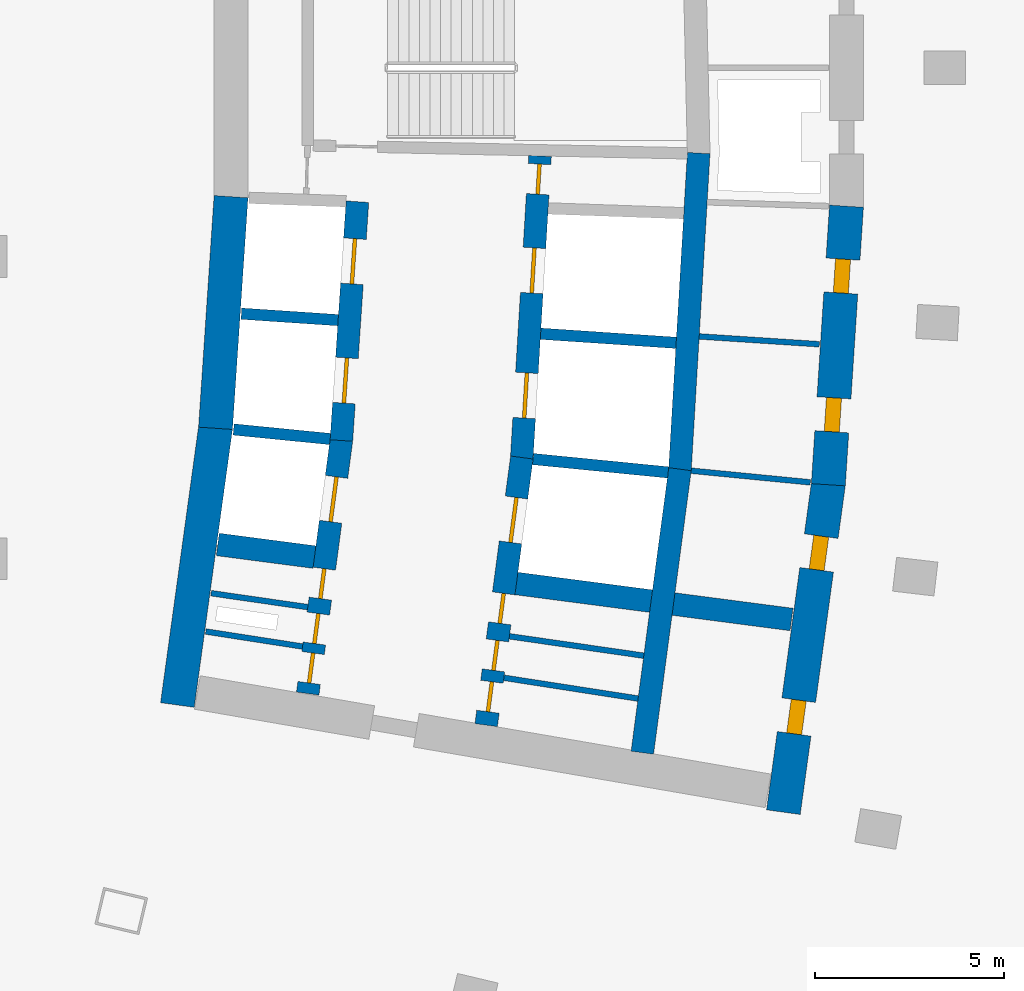
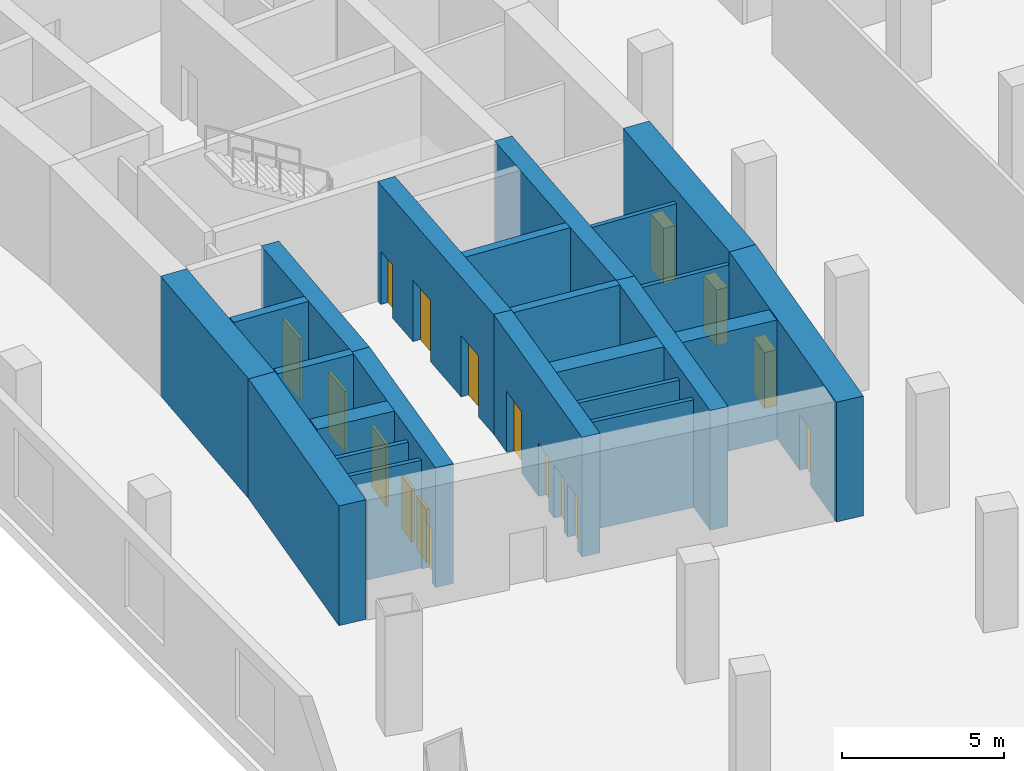
# One storey, part 3 of 16: 23 walls, 17 doors, 17 openings.
"""IFC4 building model written with IfcOpenShell, lengths in metres."""

import ifcopenshell
import ifcopenshell.guid

model = None  # the IFC model being written
_history = None  # IfcOwnerHistory: only IFC2X3 demands one
_inside = {}  # id of a spatial element -> (the spatial element, [elements in it])
_under = {}  # id of a project, library or spatial element -> (it, [spatial elements below it])
_declared = {}  # id of a project -> (the project, [libraries it declares])
_typed = {}  # id of a type object -> (the type object, [elements of that type])
_made_of = {}  # id of a material, layer set ... -> (it, [elements and type objects made of it])


def new_model(schema):
    """Start an empty IFC model of exactly this schema.

    Asked for "IFC4X3", IfcOpenShell would pick the latest addendum, in which some entities
    have other attributes; the version numbers below select the first issue.
    IFC2X3 requires an IfcOwnerHistory on every rooted entity: one is made here for all.
    """
    global model, _history
    if schema == "IFC4X3":
        model = ifcopenshell.file(schema_version=(4, 3, 0, 0))
    else:
        model = ifcopenshell.file(schema=schema)
    _inside.clear()
    _under.clear()
    _declared.clear()
    _typed.clear()
    _made_of.clear()
    _history = None
    if model.schema == "IFC2X3":
        org = make("IfcOrganization", Name="unknown")
        user = make(
            "IfcPersonAndOrganization",
            ThePerson=make("IfcPerson", FamilyName="unknown"),
            TheOrganization=org,
        )
        app = make(
            "IfcApplication",
            ApplicationDeveloper=org,
            Version="unknown",
            ApplicationFullName="unknown",
            ApplicationIdentifier="unknown",
        )
        _history = make(
            "IfcOwnerHistory",
            OwningUser=user,
            OwningApplication=app,
            ChangeAction="ADDED",
            CreationDate=0,
        )
    return model


def make(cls, **values):
    """One entity of the class cls with the attributes given. An attribute that is None is left unset."""
    return model.create_entity(
        cls, **{name: value for name, value in values.items() if value is not None}
    )


def rooted(cls, **values):
    """An entity with a GlobalId (a new one), such as an element, a storey or a relation."""
    return make(cls, GlobalId=ifcopenshell.guid.new(), OwnerHistory=_history, **values)


def si_unit(unit_type, name, prefix=None):
    """IfcSIUnit, for example si_unit("LENGTHUNIT", "METRE", prefix="MILLI")."""
    return make("IfcSIUnit", UnitType=unit_type, Prefix=prefix, Name=name)


def assignment(units):
    """IfcUnitAssignment: the units of a project."""
    return None if units is None else make("IfcUnitAssignment", Units=units)


def point(xyz):
    """IfcCartesianPoint."""
    return None if xyz is None else make("IfcCartesianPoint", Coordinates=xyz)


def direction(xyz):
    """IfcDirection."""
    return None if xyz is None else make("IfcDirection", DirectionRatios=xyz)


def frame(location, z_axis=None, x_axis=None):
    """IfcAxis2Placement3D, a coordinate frame: its origin and axes. An axis left out is left unset."""
    return make(
        "IfcAxis2Placement3D",
        Location=point(location),
        Axis=direction(z_axis),
        RefDirection=direction(x_axis),
    )


def frame_2d(location, x_axis=None):
    """IfcAxis2Placement2D, a coordinate frame in the plane: its origin and x axis."""
    return make(
        "IfcAxis2Placement2D", Location=point(location), RefDirection=direction(x_axis)
    )


def origin():
    """The frame at (0, 0, 0) with its axes left unset."""
    return frame((0.0, 0.0, 0.0))


def place(relative_to, where):
    """IfcLocalPlacement: puts the frame where relative to a parent placement (None: the world)."""
    return make(
        "IfcLocalPlacement", PlacementRelTo=relative_to, RelativePlacement=where
    )


def context(
    kind, dimensions, precision=None, world=None, true_north=None, identifier=None
):
    """IfcGeometricRepresentationContext, for example the 3D "Model" context."""
    return make(
        "IfcGeometricRepresentationContext",
        ContextIdentifier=identifier,
        ContextType=kind,
        CoordinateSpaceDimension=dimensions,
        Precision=precision,
        WorldCoordinateSystem=world,
        TrueNorth=true_north,
    )


def subcontext(parent, identifier, kind, view, scale=None):
    """IfcGeometricRepresentationSubContext, for example "Body" below "Model"."""
    return make(
        "IfcGeometricRepresentationSubContext",
        ContextIdentifier=identifier,
        ContextType=kind,
        ParentContext=parent,
        TargetScale=scale,
        TargetView=view,
    )


def project(units=None, contexts=None):
    """IfcProject with its units and contexts."""
    return rooted(
        "IfcProject",
        Name="project",
        RepresentationContexts=contexts,
        UnitsInContext=assignment(units),
    )


def spatial(cls, under=None, at=None, **own):
    """A site, building, storey or space (cls), placed at a placement, below another one or the project."""
    s = rooted(cls, ObjectPlacement=at, **own)
    if under is not None:
        _under.setdefault(under.id(), (under, []))[1].append(s)
    return s


def profile(cls, at=None, kind="AREA", **sizes):
    """A parametric profile (cls). Its sizes go by their IFC names, for example OverallWidth=200.0."""
    return make(cls, ProfileType=kind, Position=at, **sizes)


def rectangle(**sizes):
    """IfcRectangleProfileDef."""
    return profile("IfcRectangleProfileDef", **sizes)


def extrude(swept, where, along, depth):
    """IfcExtrudedAreaSolid: the profile swept, set in the frame where, extruded along a direction by depth."""
    return make(
        "IfcExtrudedAreaSolid",
        SweptArea=swept,
        Position=where,
        ExtrudedDirection=direction(along),
        Depth=depth,
    )


def shape(context_of_items, identifier, shape_type, items):
    """IfcShapeRepresentation: the items that make up one representation, for example the "Body"."""
    return make(
        "IfcShapeRepresentation",
        ContextOfItems=context_of_items,
        RepresentationIdentifier=identifier,
        RepresentationType=shape_type,
        Items=items,
    )


def material(Name=None, Category=None):
    """IfcMaterial."""
    return make("IfcMaterial", Name=Name, Category=Category)


def layer(
    of_material, thickness, ventilated=None, Name=None, Category=None, Priority=None
):
    """IfcMaterialLayer: one layer of a wall or slab, of a material (None: an air gap)."""
    return make(
        "IfcMaterialLayer",
        Material=of_material,
        LayerThickness=thickness,
        IsVentilated=ventilated,
        Name=Name,
        Category=Category,
        Priority=Priority,
    )


def layer_set(layers, Name=None):
    """IfcMaterialLayerSet."""
    return make("IfcMaterialLayerSet", MaterialLayers=layers, LayerSetName=Name)


def made_of(thing, what):
    """Note that an element or type object is made of a material, layer set ...; save() writes the relation."""
    if what is not None:
        _made_of.setdefault(what.id(), (what, []))[1].append(thing)
    return thing


def type_object(cls, material=None, **own):
    """A type object (cls), such as IfcWallType, which elements share."""
    return made_of(rooted(cls, **own), material)


def element(
    cls,
    number,
    at=None,
    inside=None,
    cuts=None,
    type_object=None,
    material=None,
    context=None,
    identifier="Body",
    shape_type=None,
    held_by="IfcProductDefinitionShape",
    body=None,
    shapes=None,
    **own,
):
    """One element of the class cls, such as IfcWall. Its Tag is "e" and its number.

    at: its placement. inside: the storey or other place that contains it. cuts: it is an
    opening in that element (IfcRelVoidsElement). A single representation is given by context,
    identifier, shape_type and body (its items); several are given by shapes. held_by: the class
    of the entity that holds the representations. save() writes the other relations.
    """
    e = rooted(cls, Tag="e%d" % number, ObjectPlacement=at, **own)
    if body is not None:
        shapes = [shape(context, identifier, shape_type, body)]
    if shapes is not None:
        e.Representation = make(held_by, Representations=shapes)
    if inside is not None:
        _inside.setdefault(inside.id(), (inside, []))[1].append(e)
    if cuts is not None:
        rooted(
            "IfcRelVoidsElement", RelatingBuildingElement=cuts, RelatedOpeningElement=e
        )
    if type_object is not None:
        _typed.setdefault(type_object.id(), (type_object, []))[1].append(e)
    return made_of(e, material)


def fill(opening, filler):
    """IfcRelFillsElement: the door or window that sits in an opening."""
    return rooted(
        "IfcRelFillsElement",
        RelatingOpeningElement=opening,
        RelatedBuildingElement=filler,
    )


def aggregate(whole, parts):
    """IfcRelAggregates: a whole, such as a stair, and the parts it consists of."""
    return rooted("IfcRelAggregates", RelatingObject=whole, RelatedObjects=parts)


def save(model, path):
    """Write the relations noted so far, then the file.

    IfcRelAggregates (storeys below a building ...), IfcRelContainedInSpatialStructure (elements
    in a storey), IfcRelDefinesByType, IfcRelAssociatesMaterial and IfcRelDeclares: one each for
    every whole, place, type object, material and project.
    """
    for whole, parts in _under.values():
        aggregate(whole, parts)
    for where, things in _inside.values():
        rooted(
            "IfcRelContainedInSpatialStructure",
            RelatedElements=things,
            RelatingStructure=where,
        )
    for kind, things in _typed.values():
        rooted("IfcRelDefinesByType", RelatedObjects=things, RelatingType=kind)
    for what, things in _made_of.values():
        rooted("IfcRelAssociatesMaterial", RelatedObjects=things, RelatingMaterial=what)
    for by, libraries in _declared.values():
        rooted("IfcRelDeclares", RelatingContext=by, RelatedDefinitions=libraries)
    model.write(path)


model = new_model("IFC4")

# Units and contexts
model_context = context("Model", 3, precision=1e-05, world=origin(), true_north=direction((0.0, 1.0)))
body_context = subcontext(model_context, "Body", "Model", "MODEL_VIEW")
ifc_project = project(units=[si_unit("LENGTHUNIT", "METRE"), si_unit("AREAUNIT", "SQUARE_METRE"), si_unit("VOLUMEUNIT", "CUBIC_METRE"), si_unit("PLANEANGLEUNIT", "RADIAN"), si_unit("MASSUNIT", "GRAM", prefix="KILO")], contexts=[model_context])

# Site, building, storey
site_placement = place(None, origin())
site = spatial("IfcSite", under=ifc_project, at=site_placement, CompositionType="ELEMENT")
building_placement = place(site_placement, origin())
building = spatial("IfcBuilding", under=site, at=building_placement, Name="Alderwake Tower", CompositionType="ELEMENT")
storey_placement = place(building_placement, frame((0.0, 0.0, 18.5)))
storey = spatial("IfcBuildingStorey", under=building, at=storey_placement, Name="L03", CompositionType="ELEMENT", Elevation=18.5)

# Walls
ifc_material_1 = material(Name="Gypsum shaft wall system, rated")
ifc_layer_1 = layer(ifc_material_1, 0.14990234375)
ifc_layer_set_1 = layer_set([ifc_layer_1], Name="Core room partition 150")
wall_type_1 = type_object("IfcWallType", Name="Core room partition 150", PredefinedType="PARTITIONING", material=ifc_layer_set_1)
wall_1_placement = place(storey_placement, frame((16.2216796875, 46.0673828125, 0.0), z_axis=(0.0, 0.0, 1.0), x_axis=(0.988167260949, -0.153380130356, 0.0)))
element("IfcWall", 1, at=wall_1_placement, inside=storey, type_object=wall_type_1, Name="CW/L03/PR-161_+0", PredefinedType="PARTITIONING", context=body_context, shape_type="SweptSolid", body=[
    extrude(rectangle(XDim=2.593017578125, YDim=0.14990234375, at=frame_2d((1.29638671875, 0.0))), origin(), (0.0, 0.0, 1.0), 4.050048828125),
])
wall_2_placement = place(storey_placement, frame((24.117431640625, 44.842041015625, 0.0), z_axis=(0.0, 0.0, 1.0), x_axis=(0.988173903359, -0.153337329832, 0.0)))
element("IfcWall", 2, at=wall_2_placement, inside=storey, type_object=wall_type_1, Name="CW/L03/PR-161_+86", PredefinedType="PARTITIONING", context=body_context, shape_type="SweptSolid", body=[
    extrude(rectangle(XDim=3.5966796875, YDim=0.14990234375, at=frame_2d((1.79833984375, 0.0))), origin(), (0.0, 0.0, 1.0), 4.050048828125),
])
wall_3_placement = place(storey_placement, frame((16.361328125, 47.08203125, 0.0), z_axis=(0.0, 0.0, 1.0), x_axis=(0.989733250733, -0.142926877787, 0.0)))
element("IfcWall", 3, at=wall_3_placement, inside=storey, type_object=wall_type_1, Name="CW/L03/PR-150_+0", PredefinedType="PARTITIONING", context=body_context, shape_type="SweptSolid", body=[
    extrude(rectangle(XDim=2.587890625, YDim=0.14990234375, at=frame_2d((1.2939453125, 0.0))), origin(), (0.0, 0.0, 1.0), 4.050048828125),
])
wall_4_placement = place(storey_placement, frame((24.263916015625, 45.940673828125, 0.0), z_axis=(0.0, 0.0, 1.0), x_axis=(0.989732412963, -0.142932679013, 0.0)))
element("IfcWall", 4, at=wall_4_placement, inside=storey, type_object=wall_type_1, Name="CW/L03/PR-150_+86", PredefinedType="PARTITIONING", context=body_context, shape_type="SweptSolid", body=[
    extrude(rectangle(XDim=3.595458984375, YDim=0.14990234375, at=frame_2d((1.7978515625, 0.0))), origin(), (0.0, 0.0, 1.0), 4.050048828125),
])
wall_5_placement = place(storey_placement, frame((29.0791015625, 50.326416015625, 0.0), z_axis=(0.0, 0.0, 1.0), x_axis=(0.995249181795, -0.097360495766, 0.0)))
element("IfcWall", 5, at=wall_5_placement, inside=storey, type_object=wall_type_1, Name="CW/L03/PR-102_+128", PredefinedType="PARTITIONING", context=body_context, shape_type="SweptSolid", body=[
    extrude(rectangle(XDim=3.169677734375, YDim=0.14990234375, at=frame_2d((1.5849609375, 0.0))), origin(), (0.0, 0.0, 1.0), 4.050048828125),
])
wall_6_placement = place(storey_placement, frame((29.289794921875, 53.883056640625, 0.0), z_axis=(0.0, 0.0, 1.0), x_axis=(0.997885290873, -0.064999586616, 0.0)))
element("IfcWall", 6, at=wall_6_placement, inside=storey, type_object=wall_type_1, Name="CW/L03/PR-68_+128", PredefinedType="PARTITIONING", context=body_context, shape_type="SweptSolid", body=[
    extrude(rectangle(XDim=3.18896484375, YDim=0.14990234375, at=frame_2d((1.594482421875, 0.0))), origin(), (0.0, 0.0, 1.0), 4.050048828125),
])
ifc_material_2 = material(Name="Concrete C70/85", Category="concrete")
ifc_layer_2 = layer(ifc_material_2, 0.89990234375)
ifc_layer_set_2 = layer_set([ifc_layer_2], Name="Core wall outer 900 C70-85")
wall_type_2 = type_object("IfcWallType", Name="Core wall outer 900 C70-85", PredefinedType="SHEAR", material=ifc_layer_set_2)
wall_7_placement = place(storey_placement, frame((15.46923828125, 44.1201171875, 0.0), z_axis=(0.0, 0.0, 1.0), x_axis=(0.136337234661, 0.990662484626, 0.0)))
element("IfcWall", 7, at=wall_7_placement, inside=storey, type_object=wall_type_2, Name="Core wall CW.042", PredefinedType="SHEAR", context=body_context, shape_type="SweptSolid", body=[
    extrude(rectangle(XDim=7.431396484375, YDim=0.89990234375, at=frame_2d((3.7158203125, 0.0))), origin(), (0.0, 0.0, 1.0), 4.5),
])
wall_8_placement = place(storey_placement, frame((16.47900390625, 51.449951171875, 0.0), z_axis=(0.0, 0.0, 1.0), x_axis=(0.06689316208, 0.997760143956, 0.0)))
element("IfcWall", 8, at=wall_8_placement, inside=storey, type_object=wall_type_2, Name="Core wall CW.041", PredefinedType="SHEAR", context=body_context, shape_type="SweptSolid", body=[
    extrude(rectangle(XDim=6.149658203125, YDim=0.89990234375, at=frame_2d((3.07470703125, 0.0))), origin(), (0.0, 0.0, 1.0), 4.5),
])

# Wall, openings, doors
wall_9_placement = place(storey_placement, frame((32.7138671875, 49.9873046875, 0.0), z_axis=(0.0, 0.0, 1.0), x_axis=(-0.135844728876, -0.990730139663, 0.0)))
wall_9 = element("IfcWall", 9, at=wall_9_placement, inside=storey, type_object=wall_type_2, Name="Core wall CW.012", PredefinedType="SHEAR", context=body_context, shape_type="SweptSolid", body=[
    extrude(rectangle(XDim=8.78662109375, YDim=0.89990234375, at=frame_2d((4.393310546875, 0.0))), origin(), (0.0, 0.0, 1.0), 4.5),
])
opening_1_placement = place(wall_9_placement, frame((1.40673828125, 0.0, 0.0)))
opening_1 = element("IfcOpeningElement", 10, at=opening_1_placement, cuts=wall_9, Name="Opening C050", PredefinedType="OPENING", context=body_context, shape_type="SweptSolid", body=[
    extrude(rectangle(XDim=0.89990234375, YDim=2.10009765625, at=frame_2d((0.449951171875, 1.050048828125))), frame((0.0, 0.4599609375, 0.0), z_axis=(0.0, -1.0, 0.0), x_axis=(1.0, 0.0, 0.0)), (0.0, 0.0, 1.0), 0.919921875),
])
opening_2_placement = place(wall_9_placement, frame((5.79248046875, 0.0, 0.0)))
opening_2 = element("IfcOpeningElement", 11, at=opening_2_placement, cuts=wall_9, Name="Opening C061", PredefinedType="OPENING", context=body_context, shape_type="SweptSolid", body=[
    extrude(rectangle(XDim=0.89990234375, YDim=2.10009765625, at=frame_2d((0.449951171875, 1.050048828125))), frame((0.0, 0.4599609375, 0.0), z_axis=(0.0, -1.0, 0.0), x_axis=(1.0, 0.0, 0.0)), (0.0, 0.0, 1.0), 0.919921875),
])
ifc_material_3 = material(Name="Painted steel leaf", Category="steel")
door_type_1 = type_object("IfcDoorType", Name="Core room door 900", OperationType="SINGLE_SWING_LEFT", PredefinedType="DOOR", material=ifc_material_3)
door_1_placement = place(opening_1_placement, origin())
door_1 = element("IfcDoor", 12, at=door_1_placement, inside=storey, type_object=door_type_1, Name="Room door", OperationType="SINGLE_SWING_RIGHT", OverallHeight=2.10009765625, OverallWidth=0.89990234375, PredefinedType="DOOR", context=body_context, shape_type="SweptSolid", body=[
    extrude(rectangle(XDim=0.89990234375, YDim=2.10009765625, at=frame_2d((0.449951171875, 1.050048828125))), frame((0.0, 0.199951171875, 0.0), z_axis=(0.0, -1.0, 0.0), x_axis=(1.0, 0.0, 0.0)), (0.0, 0.0, 1.0), 0.39990234375),
])
fill(opening_1, door_1)
door_2_placement = place(opening_2_placement, origin())
door_2 = element("IfcDoor", 13, at=door_2_placement, inside=storey, type_object=door_type_1, Name="Room door", OperationType="SINGLE_SWING_LEFT", OverallHeight=2.10009765625, OverallWidth=0.89990234375, PredefinedType="DOOR", context=body_context, shape_type="SweptSolid", body=[
    extrude(rectangle(XDim=0.89990234375, YDim=2.10009765625, at=frame_2d((0.449951171875, 1.050048828125))), frame((0.0, 0.199951171875, 0.0), z_axis=(0.0, -1.0, 0.0), x_axis=(1.0, 0.0, 0.0)), (0.0, 0.0, 1.0), 0.39990234375),
])
fill(opening_2, door_2)

wall_10_placement = place(storey_placement, frame((33.191162109375, 57.33349609375, 0.0), z_axis=(0.0, 0.0, 1.0), x_axis=(-0.064976219143, -0.997886812693, 0.0)))
wall_10 = element("IfcWall", 14, at=wall_10_placement, inside=storey, type_object=wall_type_2, Name="Core wall CW.011", PredefinedType="SHEAR", context=body_context, shape_type="SweptSolid", body=[
    extrude(rectangle(XDim=7.39453125, YDim=0.89990234375, at=frame_2d((3.697265625, 0.0))), origin(), (0.0, 0.0, 1.0), 4.5),
])
opening_3_placement = place(wall_10_placement, frame((5.087646484375, 0.0, 0.0)))
opening_3 = element("IfcOpeningElement", 15, at=opening_3_placement, cuts=wall_10, Name="Opening C027", PredefinedType="OPENING", context=body_context, shape_type="SweptSolid", body=[
    extrude(rectangle(XDim=0.89990234375, YDim=2.10009765625, at=frame_2d((0.449951171875, 1.050048828125))), frame((0.0, 0.4599609375, 0.0), z_axis=(0.0, -1.0, 0.0), x_axis=(1.0, 0.0, 0.0)), (0.0, 0.0, 1.0), 0.919921875),
])
opening_4_placement = place(wall_10_placement, frame((1.405517578125, 0.0, 0.0)))
opening_4 = element("IfcOpeningElement", 16, at=opening_4_placement, cuts=wall_10, Name="Opening C029", PredefinedType="OPENING", context=body_context, shape_type="SweptSolid", body=[
    extrude(rectangle(XDim=0.89990234375, YDim=2.10009765625, at=frame_2d((0.449951171875, 1.050048828125))), frame((0.0, 0.4599609375, 0.0), z_axis=(0.0, -1.0, 0.0), x_axis=(1.0, 0.0, 0.0)), (0.0, 0.0, 1.0), 0.919921875),
])
door_3_placement = place(opening_3_placement, origin())
door_3 = element("IfcDoor", 17, at=door_3_placement, inside=storey, type_object=door_type_1, Name="Room door", OperationType="SINGLE_SWING_RIGHT", OverallHeight=2.10009765625, OverallWidth=0.89990234375, PredefinedType="DOOR", context=body_context, shape_type="SweptSolid", body=[
    extrude(rectangle(XDim=0.89990234375, YDim=2.10009765625, at=frame_2d((0.449951171875, 1.050048828125))), frame((0.0, 0.199951171875, 0.0), z_axis=(0.0, -1.0, 0.0), x_axis=(1.0, 0.0, 0.0)), (0.0, 0.0, 1.0), 0.39990234375),
])
fill(opening_3, door_3)
door_4_placement = place(opening_4_placement, origin())
door_4 = element("IfcDoor", 18, at=door_4_placement, inside=storey, type_object=door_type_1, Name="Room door", OperationType="SINGLE_SWING_LEFT", OverallHeight=2.10009765625, OverallWidth=0.89990234375, PredefinedType="DOOR", context=body_context, shape_type="SweptSolid", body=[
    extrude(rectangle(XDim=0.89990234375, YDim=2.10009765625, at=frame_2d((0.449951171875, 1.050048828125))), frame((0.0, 0.199951171875, 0.0), z_axis=(0.0, -1.0, 0.0), x_axis=(1.0, 0.0, 0.0)), (0.0, 0.0, 1.0), 0.39990234375),
])
fill(opening_4, door_4)

# Walls
ifc_material_4 = material(Name="Concrete C70/85", Category="concrete")
ifc_layer_3 = layer(ifc_material_4, 0.300048828125)
ifc_layer_set_3 = layer_set([ifc_layer_3], Name="Core wall shaft 300 C70-85")
wall_type_3 = type_object("IfcWallType", Name="Core wall shaft 300 C70-85", PredefinedType="SHEAR", material=ifc_layer_set_3)
wall_11_placement = place(storey_placement, frame((16.9580078125, 51.4189453125, 0.0), z_axis=(0.0, 0.0, 1.0), x_axis=(0.995153154577, -0.098337169657, 0.0)))
element("IfcWall", 19, at=wall_11_placement, inside=storey, type_object=wall_type_3, Name="Core wall CW.065", PredefinedType="SHEAR", context=body_context, shape_type="SweptSolid", body=[
    extrude(rectangle(XDim=2.569580078125, YDim=0.300048828125, at=frame_2d((1.28466796875, 0.0))), origin(), (0.0, 0.0, 1.0), 4.5),
])
wall_12_placement = place(storey_placement, frame((24.889404296875, 50.635009765625, 0.0), z_axis=(0.0, 0.0, 1.0), x_axis=(0.995156121494, -0.098307140396, 0.0)))
element("IfcWall", 20, at=wall_12_placement, inside=storey, type_object=wall_type_3, Name="Core wall CW.066", PredefinedType="SHEAR", context=body_context, shape_type="SweptSolid", body=[
    extrude(rectangle(XDim=3.595947265625, YDim=0.300048828125, at=frame_2d((1.7978515625, 0.0))), origin(), (0.0, 0.0, 1.0), 4.5),
])
wall_13_placement = place(storey_placement, frame((17.16357421875, 54.486083984375, 0.0), z_axis=(0.0, 0.0, 1.0), x_axis=(0.997758581961, -0.066916456292, 0.0)))
element("IfcWall", 21, at=wall_13_placement, inside=storey, type_object=wall_type_3, Name="Core wall CW.079", PredefinedType="SHEAR", context=body_context, shape_type="SweptSolid", body=[
    extrude(rectangle(XDim=2.568603515625, YDim=0.300048828125, at=frame_2d((1.2841796875, 0.0))), origin(), (0.0, 0.0, 1.0), 4.5),
])
wall_14_placement = place(storey_placement, frame((25.090087890625, 53.954833984375, 0.0), z_axis=(0.0, 0.0, 1.0), x_axis=(0.997758045734, -0.066924451231, 0.0)))
element("IfcWall", 22, at=wall_14_placement, inside=storey, type_object=wall_type_3, Name="Core wall CW.080", PredefinedType="SHEAR", context=body_context, shape_type="SweptSolid", body=[
    extrude(rectangle(XDim=3.596923828125, YDim=0.300048828125, at=frame_2d((1.79833984375, 0.0))), origin(), (0.0, 0.0, 1.0), 4.5),
])

# Wall, openings, doors
ifc_material_5 = material(Name="Concrete C70/85", Category="concrete")
ifc_layer_4 = layer(ifc_material_5, 0.60009765625)
ifc_layer_set_4 = layer_set([ifc_layer_4], Name="Core wall spine 600 C70-85")
wall_type_4 = type_object("IfcWallType", Name="Core wall spine 600 C70-85", PredefinedType="SHEAR", material=ifc_layer_set_4)
wall_15_placement = place(storey_placement, frame((19.815185546875, 51.14697265625, 0.0), z_axis=(0.0, 0.0, 1.0), x_axis=(-0.131854836214, -0.991269036219, 0.0)))
wall_15 = element("IfcWall", 23, at=wall_15_placement, inside=storey, type_object=wall_type_4, Name="Core wall CW.033", PredefinedType="SHEAR", context=body_context, shape_type="SweptSolid", body=[
    extrude(rectangle(XDim=6.782470703125, YDim=0.60009765625, at=frame_2d((3.39111328125, 0.0))), origin(), (0.0, 0.0, 1.0), 4.5),
])
opening_5_placement = place(wall_15_placement, frame((0.9921875, 0.0, 0.0)))
opening_5 = element("IfcOpeningElement", 24, at=opening_5_placement, cuts=wall_15, Name="Opening LD-LP1", PredefinedType="OPENING", context=body_context, shape_type="SweptSolid", body=[
    extrude(rectangle(XDim=1.199951171875, YDim=2.300048828125, at=frame_2d((0.60009765625, 1.14990234375))), frame((0.0, 0.31005859375, 0.0), z_axis=(0.0, -1.0, 0.0), x_axis=(1.0, 0.0, 0.0)), (0.0, 0.0, 1.0), 0.6201171875),
])
opening_6_placement = place(wall_15_placement, frame((5.699951171875, 0.0, 0.0)))
opening_6 = element("IfcOpeningElement", 25, at=opening_6_placement, cuts=wall_15, Name="Opening C009", PredefinedType="OPENING", context=body_context, shape_type="SweptSolid", body=[
    extrude(rectangle(XDim=0.800048828125, YDim=2.0, at=frame_2d((0.39990234375, 1.0))), frame((0.0, 0.31005859375, 0.0), z_axis=(0.0, -1.0, 0.0), x_axis=(1.0, 0.0, 0.0)), (0.0, 0.0, 1.0), 0.6201171875),
])
opening_7_placement = place(wall_15_placement, frame((4.64501953125, 0.0, 0.0)))
opening_7 = element("IfcOpeningElement", 26, at=opening_7_placement, cuts=wall_15, Name="Opening C011", PredefinedType="OPENING", context=body_context, shape_type="SweptSolid", body=[
    extrude(rectangle(XDim=0.800048828125, YDim=2.0, at=frame_2d((0.39990234375, 1.0))), frame((0.0, 0.31005859375, 0.0), z_axis=(0.0, -1.0, 0.0), x_axis=(1.0, 0.0, 0.0)), (0.0, 0.0, 1.0), 0.6201171875),
])
opening_8_placement = place(wall_15_placement, frame((3.4462890625, 0.0, 0.0)))
opening_8 = element("IfcOpeningElement", 27, at=opening_8_placement, cuts=wall_15, Name="Opening C012", PredefinedType="OPENING", context=body_context, shape_type="SweptSolid", body=[
    extrude(rectangle(XDim=0.800048828125, YDim=2.0, at=frame_2d((0.39990234375, 1.0))), frame((0.0, 0.31005859375, 0.0), z_axis=(0.0, -1.0, 0.0), x_axis=(1.0, 0.0, 0.0)), (0.0, 0.0, 1.0), 0.6201171875),
])
ifc_material_6 = material(Name="Stainless steel sliding leaf", Category="steel")
door_type_2 = type_object("IfcDoorType", Name="Lift landing door 1200", OperationType="SLIDING_TO_LEFT", PredefinedType="DOOR", material=ifc_material_6)
door_5_placement = place(opening_5_placement, origin())
door_5 = element("IfcDoor", 28, at=door_5_placement, inside=storey, type_object=door_type_2, Name="Lift landing door LP1", OperationType="SLIDING_TO_LEFT", OverallHeight=2.300048828125, OverallWidth=1.199951171875, PredefinedType="DOOR", context=body_context, shape_type="SweptSolid", body=[
    extrude(rectangle(XDim=1.199951171875, YDim=2.300048828125, at=frame_2d((0.60009765625, 1.14990234375))), frame((0.0, 0.050048828125, 0.0), z_axis=(0.0, -1.0, 0.0), x_axis=(1.0, 0.0, 0.0)), (0.0, 0.0, 1.0), 0.10009765625),
])
fill(opening_5, door_5)
ifc_material_7 = material(Name="Painted steel leaf, rated", Category="steel")
door_type_3 = type_object("IfcDoorType", Name="Riser access door 800", OperationType="SINGLE_SWING_LEFT", PredefinedType="DOOR", material=ifc_material_7)
door_6_placement = place(opening_6_placement, origin())
door_6 = element("IfcDoor", 29, at=door_6_placement, inside=storey, type_object=door_type_3, Name="Riser access door", OperationType="SINGLE_SWING_LEFT", OverallHeight=2.0, OverallWidth=0.800048828125, PredefinedType="DOOR", context=body_context, shape_type="SweptSolid", body=[
    extrude(rectangle(XDim=0.800048828125, YDim=2.0, at=frame_2d((0.39990234375, 1.0))), frame((0.0, 0.050048828125, 0.0), z_axis=(0.0, -1.0, 0.0), x_axis=(1.0, 0.0, 0.0)), (0.0, 0.0, 1.0), 0.10009765625),
])
fill(opening_6, door_6)
door_7_placement = place(opening_7_placement, origin())
door_7 = element("IfcDoor", 30, at=door_7_placement, inside=storey, type_object=door_type_3, Name="Riser access door", OperationType="SINGLE_SWING_RIGHT", OverallHeight=2.0, OverallWidth=0.800048828125, PredefinedType="DOOR", context=body_context, shape_type="SweptSolid", body=[
    extrude(rectangle(XDim=0.800048828125, YDim=2.0, at=frame_2d((0.39990234375, 1.0))), frame((0.0, 0.050048828125, 0.0), z_axis=(0.0, -1.0, 0.0), x_axis=(1.0, 0.0, 0.0)), (0.0, 0.0, 1.0), 0.10009765625),
])
fill(opening_7, door_7)
door_8_placement = place(opening_8_placement, origin())
door_8 = element("IfcDoor", 31, at=door_8_placement, inside=storey, type_object=door_type_3, Name="Riser access door", OperationType="SINGLE_SWING_LEFT", OverallHeight=2.0, OverallWidth=0.800048828125, PredefinedType="DOOR", context=body_context, shape_type="SweptSolid", body=[
    extrude(rectangle(XDim=0.800048828125, YDim=2.0, at=frame_2d((0.39990234375, 1.0))), frame((0.0, 0.050048828125, 0.0), z_axis=(0.0, -1.0, 0.0), x_axis=(1.0, 0.0, 0.0)), (0.0, 0.0, 1.0), 0.10009765625),
])
fill(opening_8, door_8)

wall_16_placement = place(storey_placement, frame((19.813232421875, 51.12646484375, 0.0), z_axis=(0.0, 0.0, 1.0), x_axis=(0.066892179723, 0.997760209816, 0.0)))
wall_16 = element("IfcWall", 32, at=wall_16_placement, inside=storey, type_object=wall_type_4, Name="Core wall CW.032", PredefinedType="SHEAR", context=body_context, shape_type="SweptSolid", body=[
    extrude(rectangle(XDim=6.339599609375, YDim=0.60009765625, at=frame_2d((3.169921875, 0.0))), origin(), (0.0, 0.0, 1.0), 4.5),
])
opening_9_placement = place(wall_16_placement, frame((0.992431640625, 0.0, 0.0)))
opening_9 = element("IfcOpeningElement", 33, at=opening_9_placement, cuts=wall_16, Name="Opening LD-LP2", PredefinedType="OPENING", context=body_context, shape_type="SweptSolid", body=[
    extrude(rectangle(XDim=1.199951171875, YDim=2.300048828125, at=frame_2d((0.60009765625, 1.14990234375))), frame((0.0, 0.31005859375, 0.0), z_axis=(0.0, -1.0, 0.0), x_axis=(1.0, 0.0, 0.0)), (0.0, 0.0, 1.0), 0.6201171875),
])
opening_10_placement = place(wall_16_placement, frame((4.157470703125, 0.0, 0.0)))
opening_10 = element("IfcOpeningElement", 34, at=opening_10_placement, cuts=wall_16, Name="Opening LD-LP3", PredefinedType="OPENING", context=body_context, shape_type="SweptSolid", body=[
    extrude(rectangle(XDim=1.199951171875, YDim=2.300048828125, at=frame_2d((0.60009765625, 1.14990234375))), frame((0.0, 0.31005859375, 0.0), z_axis=(0.0, -1.0, 0.0), x_axis=(1.0, 0.0, 0.0)), (0.0, 0.0, 1.0), 0.6201171875),
])
door_9_placement = place(opening_9_placement, origin())
door_9 = element("IfcDoor", 35, at=door_9_placement, inside=storey, type_object=door_type_2, Name="Lift landing door LP2", OperationType="SLIDING_TO_LEFT", OverallHeight=2.300048828125, OverallWidth=1.199951171875, PredefinedType="DOOR", context=body_context, shape_type="SweptSolid", body=[
    extrude(rectangle(XDim=1.199951171875, YDim=2.300048828125, at=frame_2d((0.60009765625, 1.14990234375))), frame((0.0, 0.050048828125, 0.0), z_axis=(0.0, -1.0, 0.0), x_axis=(1.0, 0.0, 0.0)), (0.0, 0.0, 1.0), 0.10009765625),
])
fill(opening_9, door_9)
door_10_placement = place(opening_10_placement, origin())
door_10 = element("IfcDoor", 36, at=door_10_placement, inside=storey, type_object=door_type_2, Name="Lift landing door LP3", OperationType="SLIDING_TO_LEFT", OverallHeight=2.300048828125, OverallWidth=1.199951171875, PredefinedType="DOOR", context=body_context, shape_type="SweptSolid", body=[
    extrude(rectangle(XDim=1.199951171875, YDim=2.300048828125, at=frame_2d((0.60009765625, 1.14990234375))), frame((0.0, 0.050048828125, 0.0), z_axis=(0.0, -1.0, 0.0), x_axis=(1.0, 0.0, 0.0)), (0.0, 0.0, 1.0), 0.10009765625),
])
fill(opening_10, door_10)

wall_17_placement = place(storey_placement, frame((23.647705078125, 43.588134765625, 0.0), z_axis=(0.0, 0.0, 1.0), x_axis=(0.132069785658, 0.991240420744, 0.0)))
wall_17 = element("IfcWall", 37, at=wall_17_placement, inside=storey, type_object=wall_type_4, Name="Core wall CW.047", PredefinedType="SHEAR", context=body_context, shape_type="SweptSolid", body=[
    extrude(rectangle(XDim=7.150390625, YDim=0.60009765625, at=frame_2d((3.5751953125, 0.0))), origin(), (0.0, 0.0, 1.0), 4.5),
])
opening_11_placement = place(wall_17_placement, frame((4.88134765625, 0.0, 0.0)))
opening_11 = element("IfcOpeningElement", 38, at=opening_11_placement, cuts=wall_17, Name="Opening LD-LP4", PredefinedType="OPENING", context=body_context, shape_type="SweptSolid", body=[
    extrude(rectangle(XDim=1.199951171875, YDim=2.300048828125, at=frame_2d((0.60009765625, 1.14990234375))), frame((0.0, 0.31005859375, 0.0), z_axis=(0.0, -1.0, 0.0), x_axis=(1.0, 0.0, 0.0)), (0.0, 0.0, 1.0), 0.6201171875),
])
opening_12_placement = place(wall_17_placement, frame((0.35791015625, 0.0, 0.0)))
opening_12 = element("IfcOpeningElement", 39, at=opening_12_placement, cuts=wall_17, Name="Opening C016", PredefinedType="OPENING", context=body_context, shape_type="SweptSolid", body=[
    extrude(rectangle(XDim=0.800048828125, YDim=2.0, at=frame_2d((0.39990234375, 1.0))), frame((0.0, 0.31005859375, 0.0), z_axis=(0.0, -1.0, 0.0), x_axis=(1.0, 0.0, 0.0)), (0.0, 0.0, 1.0), 0.6201171875),
])
opening_13_placement = place(wall_17_placement, frame((1.46337890625, 0.0, 0.0)))
opening_13 = element("IfcOpeningElement", 40, at=opening_13_placement, cuts=wall_17, Name="Opening C018", PredefinedType="OPENING", context=body_context, shape_type="SweptSolid", body=[
    extrude(rectangle(XDim=0.800048828125, YDim=2.0, at=frame_2d((0.39990234375, 1.0))), frame((0.0, 0.31005859375, 0.0), z_axis=(0.0, -1.0, 0.0), x_axis=(1.0, 0.0, 0.0)), (0.0, 0.0, 1.0), 0.6201171875),
])
opening_14_placement = place(wall_17_placement, frame((2.719482421875, 0.0, 0.0)))
opening_14 = element("IfcOpeningElement", 41, at=opening_14_placement, cuts=wall_17, Name="Opening C019", PredefinedType="OPENING", context=body_context, shape_type="SweptSolid", body=[
    extrude(rectangle(XDim=0.800048828125, YDim=2.0, at=frame_2d((0.39990234375, 1.0))), frame((0.0, 0.31005859375, 0.0), z_axis=(0.0, -1.0, 0.0), x_axis=(1.0, 0.0, 0.0)), (0.0, 0.0, 1.0), 0.6201171875),
])
door_11_placement = place(opening_11_placement, origin())
door_11 = element("IfcDoor", 42, at=door_11_placement, inside=storey, type_object=door_type_2, Name="Lift landing door LP4", OperationType="SLIDING_TO_LEFT", OverallHeight=2.300048828125, OverallWidth=1.199951171875, PredefinedType="DOOR", context=body_context, shape_type="SweptSolid", body=[
    extrude(rectangle(XDim=1.199951171875, YDim=2.300048828125, at=frame_2d((0.60009765625, 1.14990234375))), frame((0.0, 0.050048828125, 0.0), z_axis=(0.0, -1.0, 0.0), x_axis=(1.0, 0.0, 0.0)), (0.0, 0.0, 1.0), 0.10009765625),
])
fill(opening_11, door_11)
door_12_placement = place(opening_12_placement, origin())
door_12 = element("IfcDoor", 43, at=door_12_placement, inside=storey, type_object=door_type_3, Name="Riser access door", OperationType="SINGLE_SWING_RIGHT", OverallHeight=2.0, OverallWidth=0.800048828125, PredefinedType="DOOR", context=body_context, shape_type="SweptSolid", body=[
    extrude(rectangle(XDim=0.800048828125, YDim=2.0, at=frame_2d((0.39990234375, 1.0))), frame((0.0, 0.050048828125, 0.0), z_axis=(0.0, -1.0, 0.0), x_axis=(1.0, 0.0, 0.0)), (0.0, 0.0, 1.0), 0.10009765625),
])
fill(opening_12, door_12)
door_13_placement = place(opening_13_placement, origin())
door_13 = element("IfcDoor", 44, at=door_13_placement, inside=storey, type_object=door_type_3, Name="Riser access door", OperationType="SINGLE_SWING_LEFT", OverallHeight=2.0, OverallWidth=0.800048828125, PredefinedType="DOOR", context=body_context, shape_type="SweptSolid", body=[
    extrude(rectangle(XDim=0.800048828125, YDim=2.0, at=frame_2d((0.39990234375, 1.0))), frame((0.0, 0.050048828125, 0.0), z_axis=(0.0, -1.0, 0.0), x_axis=(1.0, 0.0, 0.0)), (0.0, 0.0, 1.0), 0.10009765625),
])
fill(opening_13, door_13)
door_14_placement = place(opening_14_placement, origin())
door_14 = element("IfcDoor", 45, at=door_14_placement, inside=storey, type_object=door_type_3, Name="Riser access door", OperationType="SINGLE_SWING_RIGHT", OverallHeight=2.0, OverallWidth=0.800048828125, PredefinedType="DOOR", context=body_context, shape_type="SweptSolid", body=[
    extrude(rectangle(XDim=0.800048828125, YDim=2.0, at=frame_2d((0.39990234375, 1.0))), frame((0.0, 0.050048828125, 0.0), z_axis=(0.0, -1.0, 0.0), x_axis=(1.0, 0.0, 0.0)), (0.0, 0.0, 1.0), 0.10009765625),
])
fill(opening_14, door_14)

wall_18_placement = place(storey_placement, frame((24.58984375, 50.6533203125, 0.0), z_axis=(0.0, 0.0, 1.0), x_axis=(0.060323309079, 0.998178890972, 0.0)))
wall_18 = element("IfcWall", 46, at=wall_18_placement, inside=storey, type_object=wall_type_4, Name="Core wall CW.046", PredefinedType="SHEAR", context=body_context, shape_type="SweptSolid", body=[
    extrude(rectangle(XDim=8.025634765625, YDim=0.60009765625, at=frame_2d((4.0126953125, 0.0))), origin(), (0.0, 0.0, 1.0), 4.5),
])
opening_15_placement = place(wall_18_placement, frame((1.06884765625, 0.0, 0.0)))
opening_15 = element("IfcOpeningElement", 47, at=opening_15_placement, cuts=wall_18, Name="Opening LD-LP5", PredefinedType="OPENING", context=body_context, shape_type="SweptSolid", body=[
    extrude(rectangle(XDim=1.199951171875, YDim=2.300048828125, at=frame_2d((0.60009765625, 1.14990234375))), frame((0.0, 0.31005859375, 0.0), z_axis=(0.0, -1.0, 0.0), x_axis=(1.0, 0.0, 0.0)), (0.0, 0.0, 1.0), 0.6201171875),
])
opening_16_placement = place(wall_18_placement, frame((4.38525390625, 0.0, 0.0)))
opening_16 = element("IfcOpeningElement", 48, at=opening_16_placement, cuts=wall_18, Name="Opening LD-LP6", PredefinedType="OPENING", context=body_context, shape_type="SweptSolid", body=[
    extrude(rectangle(XDim=1.199951171875, YDim=2.300048828125, at=frame_2d((0.60009765625, 1.14990234375))), frame((0.0, 0.31005859375, 0.0), z_axis=(0.0, -1.0, 0.0), x_axis=(1.0, 0.0, 0.0)), (0.0, 0.0, 1.0), 0.6201171875),
])
opening_17_placement = place(wall_18_placement, frame((7.009521484375, 0.0, 0.0)))
opening_17 = element("IfcOpeningElement", 49, at=opening_17_placement, cuts=wall_18, Name="Opening C006", PredefinedType="OPENING", context=body_context, shape_type="SweptSolid", body=[
    extrude(rectangle(XDim=0.800048828125, YDim=2.0, at=frame_2d((0.39990234375, 1.0))), frame((0.0, 0.31005859375, 0.0), z_axis=(0.0, -1.0, 0.0), x_axis=(1.0, 0.0, 0.0)), (0.0, 0.0, 1.0), 0.6201171875),
])
door_15_placement = place(opening_15_placement, origin())
door_15 = element("IfcDoor", 50, at=door_15_placement, inside=storey, type_object=door_type_2, Name="Lift landing door LP5", OperationType="SLIDING_TO_LEFT", OverallHeight=2.300048828125, OverallWidth=1.199951171875, PredefinedType="DOOR", context=body_context, shape_type="SweptSolid", body=[
    extrude(rectangle(XDim=1.199951171875, YDim=2.300048828125, at=frame_2d((0.60009765625, 1.14990234375))), frame((0.0, 0.050048828125, 0.0), z_axis=(0.0, -1.0, 0.0), x_axis=(1.0, 0.0, 0.0)), (0.0, 0.0, 1.0), 0.10009765625),
])
fill(opening_15, door_15)
door_16_placement = place(opening_16_placement, origin())
door_16 = element("IfcDoor", 51, at=door_16_placement, inside=storey, type_object=door_type_2, Name="Lift landing door LP6", OperationType="SLIDING_TO_LEFT", OverallHeight=2.300048828125, OverallWidth=1.199951171875, PredefinedType="DOOR", context=body_context, shape_type="SweptSolid", body=[
    extrude(rectangle(XDim=1.199951171875, YDim=2.300048828125, at=frame_2d((0.60009765625, 1.14990234375))), frame((0.0, 0.050048828125, 0.0), z_axis=(0.0, -1.0, 0.0), x_axis=(1.0, 0.0, 0.0)), (0.0, 0.0, 1.0), 0.10009765625),
])
fill(opening_16, door_16)
door_17_placement = place(opening_17_placement, origin())
door_17 = element("IfcDoor", 52, at=door_17_placement, inside=storey, type_object=door_type_3, Name="Riser access door", OperationType="SINGLE_SWING_RIGHT", OverallHeight=2.0, OverallWidth=0.800048828125, PredefinedType="DOOR", context=body_context, shape_type="SweptSolid", body=[
    extrude(rectangle(XDim=0.800048828125, YDim=2.0, at=frame_2d((0.39990234375, 1.0))), frame((0.0, 0.050048828125, 0.0), z_axis=(0.0, -1.0, 0.0), x_axis=(1.0, 0.0, 0.0)), (0.0, 0.0, 1.0), 0.10009765625),
])
fill(opening_17, door_17)

# Walls
wall_19_placement = place(storey_placement, frame((27.78369140625, 42.85693359375, 0.0), z_axis=(0.0, 0.0, 1.0), x_axis=(0.131768985664, 0.991280451949, 0.0)))
element("IfcWall", 53, at=wall_19_placement, inside=storey, type_object=wall_type_4, Name="Core wall CW.006", PredefinedType="SHEAR", context=body_context, shape_type="SweptSolid", body=[
    extrude(rectangle(XDim=7.576171875, YDim=0.60009765625, at=frame_2d((3.7880859375, 0.0))), origin(), (0.0, 0.0, 1.0), 4.5),
])
wall_20_placement = place(storey_placement, frame((28.77978515625, 50.34423828125, 0.0), z_axis=(0.0, 0.0, 1.0), x_axis=(0.059133840665, 0.998250063305, 0.0)))
element("IfcWall", 54, at=wall_20_placement, inside=storey, type_object=wall_type_4, Name="Core wall CW.004", PredefinedType="SHEAR", context=body_context, shape_type="SweptSolid", body=[
    extrude(rectangle(XDim=8.409912109375, YDim=0.60009765625, at=frame_2d((4.205078125, 0.0))), origin(), (0.0, 0.0, 1.0), 4.5),
])
wall_21_placement = place(storey_placement, frame((16.5390625, 48.373291015625, 0.0), z_axis=(0.0, 0.0, 1.0), x_axis=(0.99156081818, -0.129642369037, 0.0)))
element("IfcWall", 55, at=wall_21_placement, inside=storey, type_object=wall_type_4, Name="Core wall CW.067", PredefinedType="SHEAR", context=body_context, shape_type="SweptSolid", body=[
    extrude(rectangle(XDim=2.581787109375, YDim=0.60009765625, at=frame_2d((1.291015625, 0.0))), origin(), (0.0, 0.0, 1.0), 4.5),
])
wall_22_placement = place(storey_placement, frame((24.4501953125, 47.338623046875, 0.0), z_axis=(0.0, 0.0, 1.0), x_axis=(0.99155225032, -0.129707882892, 0.0)))
element("IfcWall", 56, at=wall_22_placement, inside=storey, type_object=wall_type_4, Name="Core wall CW.069", PredefinedType="SHEAR", context=body_context, shape_type="SweptSolid", body=[
    extrude(rectangle(XDim=3.594970703125, YDim=0.60009765625, at=frame_2d((1.79736328125, 0.0))), origin(), (0.0, 0.0, 1.0), 4.5),
])
wall_23_placement = place(storey_placement, frame((28.609619140625, 46.794677734375, 0.0), z_axis=(0.0, 0.0, 1.0), x_axis=(0.991551544298, -0.129713279967, 0.0)))
element("IfcWall", 57, at=wall_23_placement, inside=storey, type_object=wall_type_4, Name="Core wall CW.068", PredefinedType="SHEAR", context=body_context, shape_type="SweptSolid", body=[
    extrude(rectangle(XDim=3.152587890625, YDim=0.60009765625, at=frame_2d((1.576171875, 0.0))), origin(), (0.0, 0.0, 1.0), 4.5),
])

save(model, "model.ifc")
